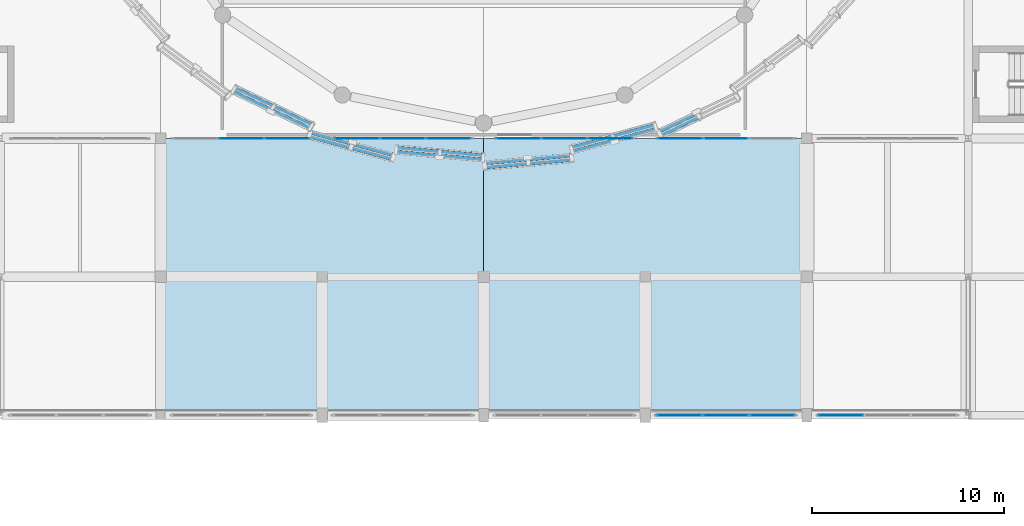
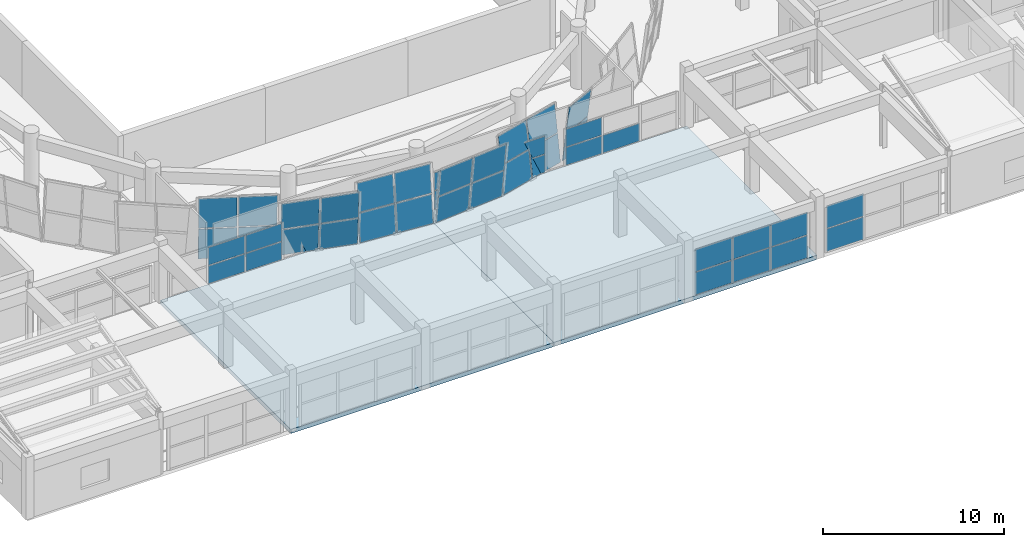
# One storey, part 49 of 74: 49 plates, 2 slabs, 12 elements without a shape of their own.
"""IFC4 building model written with IfcOpenShell, lengths in metres."""

from ifc_helpers import new_model, si_unit, direction, frame, origin, origin_2d, place, context, subcontext, project, spatial, polyline, rectangle, outline, extrude, material, layer, layer_set, type_object, element, aggregate, save


model = new_model("IFC4")

# Units and contexts
model_context = context("Model", 3, precision=1e-05, world=origin(), true_north=direction((0.0, 1.0)))
body_context = subcontext(model_context, "Body", "Model", "MODEL_VIEW")
ifc_project = project(units=[si_unit("LENGTHUNIT", "METRE"), si_unit("AREAUNIT", "SQUARE_METRE"), si_unit("VOLUMEUNIT", "CUBIC_METRE"), si_unit("PLANEANGLEUNIT", "RADIAN"), si_unit("MASSUNIT", "GRAM", prefix="KILO")], contexts=[model_context])

# Site, building, storey
site_placement = place(None, origin())
site = spatial("IfcSite", under=ifc_project, at=site_placement, CompositionType="ELEMENT")
building_placement = place(site_placement, origin())
building = spatial("IfcBuilding", under=site, at=building_placement, Name="Korsvaeld Concert Hall", CompositionType="ELEMENT")
storey_placement = place(building_placement, frame((0.0, 0.0, 9.0)))
storey = spatial("IfcBuildingStorey", under=building, at=storey_placement, Name="L02", CompositionType="ELEMENT", Elevation=9.0)

# Curtain wall, plates
ifc_material_1 = material(Name="Anodised bronze and ceramic-fritted safety glass", Category="glass")
curtain_wall_type_1 = type_object("IfcCurtainWallType", Name="CW-TYPE-13", PredefinedType="USERDEFINED", material=ifc_material_1)
curtain_wall_1_placement = place(storey_placement, origin())
curtain_wall_1 = element("IfcCurtainWall", 1, at=curtain_wall_1_placement, inside=storey, type_object=curtain_wall_type_1, Name="Wintergarden foyer curtain wall L02-13", ObjectType="CURTAIN WALL", PredefinedType="USERDEFINED")
ifc_material_2 = material(Name="Clear acoustic triple safety glazing", Category="glass")
ifc_layer_1 = layer(ifc_material_2, 0.0439453125)
ifc_layer_set_1 = layer_set([ifc_layer_1], Name="Clear acoustic triple safety glazing")
plate_type_1 = type_object("IfcPlateType", Name="CWP-CLEAR-44", PredefinedType="CURTAIN_PANEL", material=ifc_layer_set_1)
plate_1_placement = place(storey_placement, frame((102.581787109375, 28.800048828125, 0.06005859375), z_axis=(0.0, 0.0, 1.0), x_axis=(-1.0, 0.0, 0.0)))
plate_1 = element("IfcPlate", 2, at=plate_1_placement, type_object=plate_type_1, Name="CW-13 panel 3.1", PredefinedType="CURTAIN_PANEL", context=body_context, shape_type="SweptSolid", body=[
    extrude(rectangle(XDim=2.34326171875, YDim=0.0439453125, at=origin_2d()), origin(), (0.0, 0.0, 1.0), 1.5048828125),
])
plate_2_placement = place(storey_placement, frame((102.581787109375, 28.800048828125, 1.625), z_axis=(0.0, 0.0, 1.0), x_axis=(-1.0, 0.0, 0.0)))
plate_2 = element("IfcPlate", 3, at=plate_2_placement, type_object=plate_type_1, Name="CW-13 panel 3.2", PredefinedType="CURTAIN_PANEL", context=body_context, shape_type="SweptSolid", body=[
    extrude(rectangle(XDim=2.34326171875, YDim=0.0439453125, at=origin_2d()), origin(), (0.0, 0.0, 1.0), 1.5048828125),
])
aggregate(curtain_wall_1, [plate_1, plate_2])

curtain_wall_type_2 = type_object("IfcCurtainWallType", Name="CW-TYPE-14", PredefinedType="USERDEFINED", material=ifc_material_1)
curtain_wall_2_placement = place(storey_placement, origin())
curtain_wall_2 = element("IfcCurtainWall", 4, at=curtain_wall_2_placement, inside=storey, type_object=curtain_wall_type_2, Name="Wintergarden foyer curtain wall L02-14", ObjectType="CURTAIN WALL", PredefinedType="USERDEFINED")
plate_3_placement = place(storey_placement, frame((99.018310546875, 28.800048828125, 0.06005859375), z_axis=(0.0, 0.0, 1.0), x_axis=(-1.0, 0.0, 0.0)))
plate_3 = element("IfcPlate", 5, at=plate_3_placement, type_object=plate_type_1, Name="CW-14 panel 1.1", PredefinedType="CURTAIN_PANEL", context=body_context, shape_type="SweptSolid", body=[
    extrude(rectangle(XDim=2.34326171875, YDim=0.0439453125, at=origin_2d()), origin(), (0.0, 0.0, 1.0), 1.5048828125),
])
plate_4_placement = place(storey_placement, frame((99.018310546875, 28.800048828125, 1.625), z_axis=(0.0, 0.0, 1.0), x_axis=(-1.0, 0.0, 0.0)))
plate_4 = element("IfcPlate", 6, at=plate_4_placement, type_object=plate_type_1, Name="CW-14 panel 1.2", PredefinedType="CURTAIN_PANEL", context=body_context, shape_type="SweptSolid", body=[
    extrude(rectangle(XDim=2.34326171875, YDim=0.0439453125, at=origin_2d()), origin(), (0.0, 0.0, 1.0), 1.5048828125),
])
plate_5_placement = place(storey_placement, frame((96.60009765625, 28.800048828125, 0.06005859375), z_axis=(0.0, 0.0, 1.0), x_axis=(-1.0, 0.0, 0.0)))
plate_5 = element("IfcPlate", 7, at=plate_5_placement, type_object=plate_type_1, Name="CW-14 panel 2.1", PredefinedType="CURTAIN_PANEL", context=body_context, shape_type="SweptSolid", body=[
    extrude(rectangle(XDim=2.373291015625, YDim=0.0439453125, at=origin_2d()), origin(), (0.0, 0.0, 1.0), 1.5048828125),
])
plate_6_placement = place(storey_placement, frame((96.60009765625, 28.800048828125, 1.625), z_axis=(0.0, 0.0, 1.0), x_axis=(-1.0, 0.0, 0.0)))
plate_6 = element("IfcPlate", 8, at=plate_6_placement, type_object=plate_type_1, Name="CW-14 panel 2.2", PredefinedType="CURTAIN_PANEL", context=body_context, shape_type="SweptSolid", body=[
    extrude(rectangle(XDim=2.373291015625, YDim=0.0439453125, at=origin_2d()), origin(), (0.0, 0.0, 1.0), 1.5048828125),
])
plate_7_placement = place(storey_placement, frame((94.181640625, 28.800048828125, 0.06005859375), z_axis=(0.0, 0.0, 1.0), x_axis=(-1.0, 0.0, 0.0)))
plate_7 = element("IfcPlate", 9, at=plate_7_placement, type_object=plate_type_1, Name="CW-14 panel 3.1", PredefinedType="CURTAIN_PANEL", context=body_context, shape_type="SweptSolid", body=[
    extrude(rectangle(XDim=2.34326171875, YDim=0.0439453125, at=origin_2d()), origin(), (0.0, 0.0, 1.0), 1.5048828125),
])
plate_8_placement = place(storey_placement, frame((94.181640625, 28.800048828125, 1.625), z_axis=(0.0, 0.0, 1.0), x_axis=(-1.0, 0.0, 0.0)))
plate_8 = element("IfcPlate", 10, at=plate_8_placement, type_object=plate_type_1, Name="CW-14 panel 3.2", PredefinedType="CURTAIN_PANEL", context=body_context, shape_type="SweptSolid", body=[
    extrude(rectangle(XDim=2.34326171875, YDim=0.0439453125, at=origin_2d()), origin(), (0.0, 0.0, 1.0), 1.5048828125),
])
aggregate(curtain_wall_2, [plate_3, plate_4, plate_5, plate_6, plate_7, plate_8])

curtain_wall_type_3 = type_object("IfcCurtainWallType", Name="CW-TYPE-08", PredefinedType="USERDEFINED", material=ifc_material_1)
curtain_wall_3_placement = place(storey_placement, origin())
curtain_wall_3 = element("IfcCurtainWall", 11, at=curtain_wall_3_placement, inside=storey, type_object=curtain_wall_type_3, Name="Glazed foyer acoustic screen L02-32", ObjectType="CURTAIN WALL", PredefinedType="USERDEFINED")
plate_9_placement = place(storey_placement, frame((71.39990234375, 43.199951171875, 0.06005859375), z_axis=(0.0, 0.0, 1.0), x_axis=(1.0, 0.0, 0.0)))
plate_9 = element("IfcPlate", 12, at=plate_9_placement, type_object=plate_type_1, Name="CW-08 panel 2.1", PredefinedType="CURTAIN_PANEL", context=body_context, shape_type="SweptSolid", body=[
    extrude(rectangle(XDim=2.340087890625, YDim=0.0439453125, at=origin_2d()), origin(), (0.0, 0.0, 1.0), 1.18505859375),
])
plate_10_placement = place(storey_placement, frame((71.39990234375, 43.199951171875, 1.304931640625), z_axis=(0.0, 0.0, 1.0), x_axis=(1.0, 0.0, 0.0)))
plate_10 = element("IfcPlate", 13, at=plate_10_placement, type_object=plate_type_1, Name="CW-08 panel 2.2", PredefinedType="CURTAIN_PANEL", context=body_context, shape_type="SweptSolid", body=[
    extrude(rectangle(XDim=2.340087890625, YDim=0.0439453125, at=origin_2d()), origin(), (0.0, 0.0, 1.0), 1.18505859375),
])
plate_11_placement = place(storey_placement, frame((73.784912109375, 43.199951171875, 0.06005859375), z_axis=(0.0, 0.0, 1.0), x_axis=(1.0, 0.0, 0.0)))
plate_11 = element("IfcPlate", 14, at=plate_11_placement, type_object=plate_type_1, Name="CW-08 panel 3.1", PredefinedType="CURTAIN_PANEL", context=body_context, shape_type="SweptSolid", body=[
    extrude(rectangle(XDim=2.31005859375, YDim=0.0439453125, at=origin_2d()), origin(), (0.0, 0.0, 1.0), 1.18505859375),
])
plate_12_placement = place(storey_placement, frame((73.784912109375, 43.199951171875, 1.304931640625), z_axis=(0.0, 0.0, 1.0), x_axis=(1.0, 0.0, 0.0)))
plate_12 = element("IfcPlate", 15, at=plate_12_placement, type_object=plate_type_1, Name="CW-08 panel 3.2", PredefinedType="CURTAIN_PANEL", context=body_context, shape_type="SweptSolid", body=[
    extrude(rectangle(XDim=2.31005859375, YDim=0.0439453125, at=origin_2d()), origin(), (0.0, 0.0, 1.0), 1.18505859375),
])
aggregate(curtain_wall_3, [plate_9, plate_10, plate_11, plate_12])

curtain_wall_type_4 = type_object("IfcCurtainWallType", Name="CW-TYPE-09", PredefinedType="USERDEFINED", material=ifc_material_1)
curtain_wall_4_placement = place(storey_placement, origin())
curtain_wall_4 = element("IfcCurtainWall", 16, at=curtain_wall_4_placement, inside=storey, type_object=curtain_wall_type_4, Name="Glazed foyer acoustic screen L02-33", ObjectType="CURTAIN WALL", PredefinedType="USERDEFINED")
plate_13_placement = place(storey_placement, frame((77.4150390625, 43.199951171875, 0.06005859375), z_axis=(0.0, 0.0, 1.0), x_axis=(1.0, 0.0, 0.0)))
plate_13 = element("IfcPlate", 17, at=plate_13_placement, type_object=plate_type_1, Name="CW-09 panel 1.1", PredefinedType="CURTAIN_PANEL", context=body_context, shape_type="SweptSolid", body=[
    extrude(rectangle(XDim=2.31005859375, YDim=0.0439453125, at=origin_2d()), origin(), (0.0, 0.0, 1.0), 1.18505859375),
])
plate_14_placement = place(storey_placement, frame((77.4150390625, 43.199951171875, 1.304931640625), z_axis=(0.0, 0.0, 1.0), x_axis=(1.0, 0.0, 0.0)))
plate_14 = element("IfcPlate", 18, at=plate_14_placement, type_object=plate_type_1, Name="CW-09 panel 1.2", PredefinedType="CURTAIN_PANEL", context=body_context, shape_type="SweptSolid", body=[
    extrude(rectangle(XDim=2.31005859375, YDim=0.0439453125, at=origin_2d()), origin(), (0.0, 0.0, 1.0), 1.18505859375),
])
plate_15_placement = place(storey_placement, frame((79.800048828125, 43.199951171875, 0.06005859375), z_axis=(0.0, 0.0, 1.0), x_axis=(1.0, 0.0, 0.0)))
plate_15 = element("IfcPlate", 19, at=plate_15_placement, type_object=plate_type_1, Name="CW-09 panel 2.1", PredefinedType="CURTAIN_PANEL", context=body_context, shape_type="SweptSolid", body=[
    extrude(rectangle(XDim=2.340087890625, YDim=0.0439453125, at=origin_2d()), origin(), (0.0, 0.0, 1.0), 1.18505859375),
])
plate_16_placement = place(storey_placement, frame((79.800048828125, 43.199951171875, 1.304931640625), z_axis=(0.0, 0.0, 1.0), x_axis=(1.0, 0.0, 0.0)))
plate_16 = element("IfcPlate", 20, at=plate_16_placement, type_object=plate_type_1, Name="CW-09 panel 2.2", PredefinedType="CURTAIN_PANEL", context=body_context, shape_type="SweptSolid", body=[
    extrude(rectangle(XDim=2.340087890625, YDim=0.0439453125, at=origin_2d()), origin(), (0.0, 0.0, 1.0), 1.18505859375),
])
plate_17_placement = place(storey_placement, frame((82.18505859375, 43.199951171875, 0.06005859375), z_axis=(0.0, 0.0, 1.0), x_axis=(1.0, 0.0, 0.0)))
plate_17 = element("IfcPlate", 21, at=plate_17_placement, type_object=plate_type_1, Name="CW-09 panel 3.1", PredefinedType="CURTAIN_PANEL", context=body_context, shape_type="SweptSolid", body=[
    extrude(rectangle(XDim=2.31005859375, YDim=0.0439453125, at=origin_2d()), origin(), (0.0, 0.0, 1.0), 1.18505859375),
])
plate_18_placement = place(storey_placement, frame((82.18505859375, 43.199951171875, 1.304931640625), z_axis=(0.0, 0.0, 1.0), x_axis=(1.0, 0.0, 0.0)))
plate_18 = element("IfcPlate", 22, at=plate_18_placement, type_object=plate_type_1, Name="CW-09 panel 3.2", PredefinedType="CURTAIN_PANEL", context=body_context, shape_type="SweptSolid", body=[
    extrude(rectangle(XDim=2.31005859375, YDim=0.0439453125, at=origin_2d()), origin(), (0.0, 0.0, 1.0), 1.18505859375),
])
aggregate(curtain_wall_4, [plate_13, plate_14, plate_15, plate_16, plate_17, plate_18])

curtain_wall_type_5 = type_object("IfcCurtainWallType", Name="CW-TYPE-10", PredefinedType="USERDEFINED", material=ifc_material_1)
curtain_wall_5_placement = place(storey_placement, origin())
curtain_wall_5 = element("IfcCurtainWall", 23, at=curtain_wall_5_placement, inside=storey, type_object=curtain_wall_type_5, Name="Glazed foyer acoustic screen L02-34", ObjectType="CURTAIN WALL", PredefinedType="USERDEFINED")
plate_19_placement = place(storey_placement, frame((85.81494140625, 43.199951171875, 0.06005859375), z_axis=(0.0, 0.0, 1.0), x_axis=(1.0, 0.0, 0.0)))
plate_19 = element("IfcPlate", 24, at=plate_19_placement, type_object=plate_type_1, Name="CW-10 panel 1.1", PredefinedType="CURTAIN_PANEL", context=body_context, shape_type="SweptSolid", body=[
    extrude(rectangle(XDim=2.31005859375, YDim=0.0439453125, at=origin_2d()), origin(), (0.0, 0.0, 1.0), 1.18505859375),
])
plate_20_placement = place(storey_placement, frame((85.81494140625, 43.199951171875, 1.304931640625), z_axis=(0.0, 0.0, 1.0), x_axis=(1.0, 0.0, 0.0)))
plate_20 = element("IfcPlate", 25, at=plate_20_placement, type_object=plate_type_1, Name="CW-10 panel 1.2", PredefinedType="CURTAIN_PANEL", context=body_context, shape_type="SweptSolid", body=[
    extrude(rectangle(XDim=2.31005859375, YDim=0.0439453125, at=origin_2d()), origin(), (0.0, 0.0, 1.0), 1.18505859375),
])
plate_21_placement = place(storey_placement, frame((88.199951171875, 43.199951171875, 0.06005859375), z_axis=(0.0, 0.0, 1.0), x_axis=(1.0, 0.0, 0.0)))
plate_21 = element("IfcPlate", 26, at=plate_21_placement, type_object=plate_type_1, Name="CW-10 panel 2.1", PredefinedType="CURTAIN_PANEL", context=body_context, shape_type="SweptSolid", body=[
    extrude(rectangle(XDim=2.340087890625, YDim=0.0439453125, at=origin_2d()), origin(), (0.0, 0.0, 1.0), 1.18505859375),
])
plate_22_placement = place(storey_placement, frame((88.199951171875, 43.199951171875, 1.304931640625), z_axis=(0.0, 0.0, 1.0), x_axis=(1.0, 0.0, 0.0)))
plate_22 = element("IfcPlate", 27, at=plate_22_placement, type_object=plate_type_1, Name="CW-10 panel 2.2", PredefinedType="CURTAIN_PANEL", context=body_context, shape_type="SweptSolid", body=[
    extrude(rectangle(XDim=2.340087890625, YDim=0.0439453125, at=origin_2d()), origin(), (0.0, 0.0, 1.0), 1.18505859375),
])
plate_23_placement = place(storey_placement, frame((90.5849609375, 43.199951171875, 0.06005859375), z_axis=(0.0, 0.0, 1.0), x_axis=(1.0, 0.0, 0.0)))
plate_23 = element("IfcPlate", 28, at=plate_23_placement, type_object=plate_type_1, Name="CW-10 panel 3.1", PredefinedType="CURTAIN_PANEL", context=body_context, shape_type="SweptSolid", body=[
    extrude(rectangle(XDim=2.31005859375, YDim=0.0439453125, at=origin_2d()), origin(), (0.0, 0.0, 1.0), 1.18505859375),
])
plate_24_placement = place(storey_placement, frame((90.5849609375, 43.199951171875, 1.304931640625), z_axis=(0.0, 0.0, 1.0), x_axis=(1.0, 0.0, 0.0)))
plate_24 = element("IfcPlate", 29, at=plate_24_placement, type_object=plate_type_1, Name="CW-10 panel 3.2", PredefinedType="CURTAIN_PANEL", context=body_context, shape_type="SweptSolid", body=[
    extrude(rectangle(XDim=2.31005859375, YDim=0.0439453125, at=origin_2d()), origin(), (0.0, 0.0, 1.0), 1.18505859375),
])
aggregate(curtain_wall_5, [plate_19, plate_20, plate_21, plate_22, plate_23, plate_24])

curtain_wall_type_6 = type_object("IfcCurtainWallType", Name="CW-TYPE-11", PredefinedType="USERDEFINED", material=ifc_material_1)
curtain_wall_6_placement = place(storey_placement, origin())
curtain_wall_6 = element("IfcCurtainWall", 30, at=curtain_wall_6_placement, inside=storey, type_object=curtain_wall_type_6, Name="Glazed foyer acoustic screen L02-35", ObjectType="CURTAIN WALL", PredefinedType="USERDEFINED")
plate_25_placement = place(storey_placement, frame((94.215087890625, 43.199951171875, 0.06005859375), z_axis=(0.0, 0.0, 1.0), x_axis=(1.0, 0.0, 0.0)))
plate_25 = element("IfcPlate", 31, at=plate_25_placement, type_object=plate_type_1, Name="CW-11 panel 1.1", PredefinedType="CURTAIN_PANEL", context=body_context, shape_type="SweptSolid", body=[
    extrude(rectangle(XDim=2.31005859375, YDim=0.0439453125, at=origin_2d()), origin(), (0.0, 0.0, 1.0), 1.18505859375),
])
plate_26_placement = place(storey_placement, frame((94.215087890625, 43.199951171875, 1.304931640625), z_axis=(0.0, 0.0, 1.0), x_axis=(1.0, 0.0, 0.0)))
plate_26 = element("IfcPlate", 32, at=plate_26_placement, type_object=plate_type_1, Name="CW-11 panel 1.2", PredefinedType="CURTAIN_PANEL", context=body_context, shape_type="SweptSolid", body=[
    extrude(rectangle(XDim=2.31005859375, YDim=0.0439453125, at=origin_2d()), origin(), (0.0, 0.0, 1.0), 1.18505859375),
])
plate_27_placement = place(storey_placement, frame((96.60009765625, 43.199951171875, 0.06005859375), z_axis=(0.0, 0.0, 1.0), x_axis=(1.0, 0.0, 0.0)))
plate_27 = element("IfcPlate", 33, at=plate_27_placement, type_object=plate_type_1, Name="CW-11 panel 2.1", PredefinedType="CURTAIN_PANEL", context=body_context, shape_type="SweptSolid", body=[
    extrude(rectangle(XDim=2.340087890625, YDim=0.0439453125, at=origin_2d()), origin(), (0.0, 0.0, 1.0), 1.18505859375),
])
aggregate(curtain_wall_6, [plate_25, plate_26, plate_27])

curtain_wall_type_7 = type_object("IfcCurtainWallType", Name="CW-TYPE-06", PredefinedType="USERDEFINED", material=ifc_material_1)
curtain_wall_7_placement = place(storey_placement, origin())
curtain_wall_7 = element("IfcCurtainWall", 34, at=curtain_wall_7_placement, inside=storey, type_object=curtain_wall_type_7, Name="Crystal curtain-wall facet L02 F22", ObjectType="CURTAIN WALL", PredefinedType="USERDEFINED")
ifc_material_3 = material(Name="Translucent ceramic-fritted crystal safety glass", Category="glass")
ifc_layer_2 = layer(ifc_material_3, 0.035888671875)
ifc_layer_set_2 = layer_set([ifc_layer_2], Name="Translucent ceramic-fritted crystal safety glass")
plate_type_2 = type_object("IfcPlateType", Name="CWP-CRYSTAL-36", PredefinedType="CURTAIN_PANEL", material=ifc_layer_set_2)
plate_28_placement = place(storey_placement, frame((70.959716796875, 45.546142578125, 0.06005859375), z_axis=(-0.430021805467, -0.895747152758, 0.112775374747), x_axis=(0.901498117994, -0.432783020976, -2.75305e-06)))
plate_28 = element("IfcPlate", 35, at=plate_28_placement, type_object=plate_type_2, Name="CW-CRYS-L02-F22 ceramic-fritted crystal panel 1.1", PredefinedType="CURTAIN_PANEL", context=body_context, shape_type="SweptSolid", body=[
    extrude(outline(polyline([(0.0, 0.0), (2.150308577352403, -1.3877787807814457e-17), (2.169184628800818, 1.8617364192238395), (0.018655959134450888, 1.8617245027850182), (0.0, 0.0)])), frame((0.0, 0.0, 0.01806640625)), (0.0, 0.0, -1.0), 0.035888671875),
])
plate_29_placement = place(storey_placement, frame((71.07080078125, 45.733154296875, 1.969970703125), z_axis=(-0.429999158214, -0.895756378641, 0.112788448256), x_axis=(0.901508884705, -0.432760592935, 0.0)))
plate_29 = element("IfcPlate", 36, at=plate_29_placement, type_object=plate_type_2, Name="CW-CRYS-L02-F22 ceramic-fritted crystal panel 1.2", PredefinedType="CURTAIN_PANEL", context=body_context, shape_type="SweptSolid", body=[
    extrude(outline(polyline([(0.0, 0.0), (2.1505286703400395, 0.0), (2.169415039256542, 1.8619788978930212), (0.018886368916502288, 1.8619788978930212), (0.0, 0.0)])), frame((0.0, 0.0, 0.01806640625)), (0.0, 0.0, -1.0), 0.035888671875),
])
plate_30_placement = place(storey_placement, frame((72.9658203125, 44.5830078125, 0.06005859375), z_axis=(-0.430090054787, -0.895710759262, 0.112804168878), x_axis=(0.901464591462, -0.432852850679, 0.0)))
plate_30 = element("IfcPlate", 37, at=plate_30_placement, type_object=plate_type_2, Name="CW-CRYS-L02-F22 ceramic-fritted crystal panel 2.1", PredefinedType="CURTAIN_PANEL", context=body_context, shape_type="SweptSolid", body=[
    extrude(outline(polyline([(0.0, 0.0), (2.150634336043882, 0.0), (2.1694992125629495, 1.8617365332323772), (0.018864876519067143, 1.8617365332323772), (0.0, 0.0)])), frame((0.0, 0.0, 0.01806640625)), (0.0, 0.0, -1.0), 0.035888671875),
])
plate_31_placement = place(storey_placement, frame((73.0771484375, 44.77001953125, 1.969970703125), z_axis=(-0.430114148991, -0.895704537127, 0.112761700096), x_axis=(0.901454091207, -0.432874717948, 2.75289e-06)))
plate_31 = element("IfcPlate", 38, at=plate_31_placement, type_object=plate_type_2, Name="CW-CRYS-L02-F22 ceramic-fritted crystal panel 2.2", PredefinedType="CURTAIN_PANEL", context=body_context, shape_type="SweptSolid", body=[
    extrude(outline(polyline([(0.0, 0.0), (2.150634335402981, -1.3877787807814457e-17), (2.169279129080632, 1.8619671987283917), (0.01886487524288685, 1.8619791150426859), (0.0, 0.0)])), frame((0.0, 0.0, 0.01806640625)), (0.0, 0.0, -1.0), 0.035888671875),
])
aggregate(curtain_wall_7, [plate_28, plate_29, plate_30, plate_31])

curtain_wall_type_8 = type_object("IfcCurtainWallType", Name="CW-TYPE-07", PredefinedType="USERDEFINED", material=ifc_material_1)
curtain_wall_8_placement = place(storey_placement, origin())
curtain_wall_8 = element("IfcCurtainWall", 39, at=curtain_wall_8_placement, inside=storey, type_object=curtain_wall_type_8, Name="Crystal curtain-wall facet L02 F23", ObjectType="CURTAIN WALL", PredefinedType="USERDEFINED")
plate_32_placement = place(storey_placement, frame((75.038818359375, 43.587646484375, 0.06005859375), z_axis=(-0.261266730568, -0.958626546521, -0.113025836882), x_axis=(0.964809044525, -0.262951530895, -1.652025e-06)))
plate_32 = element("IfcPlate", 40, at=plate_32_placement, type_object=plate_type_2, Name="CW-CRYS-L02-F23 ceramic-fritted crystal panel 1.1", PredefinedType="CURTAIN_PANEL", context=body_context, shape_type="SweptSolid", body=[
    extrude(outline(polyline([(0.0, 0.0), (2.1820030489605324, 0.0), (2.1692661665257673, 1.8617873410243495), (-0.012501333351628674, 1.8617800854742605), (0.0, 0.0)])), frame((0.0, 0.0, 0.01806640625)), (0.0, 0.0, -1.0), 0.035888671875),
])
plate_33_placement = place(storey_placement, frame((74.96923828125, 43.38134765625, 1.969970703125), z_axis=(-0.261178302111, -0.958654457556, -0.112993475543), x_axis=(0.964833511963, -0.262861739689, 0.0)))
plate_33 = element("IfcPlate", 41, at=plate_33_placement, type_object=plate_type_2, Name="CW-CRYS-L02-F23 ceramic-fritted crystal panel 1.2", PredefinedType="CURTAIN_PANEL", context=body_context, shape_type="SweptSolid", body=[
    extrude(outline(polyline([(0.0, 0.0), (2.181703312177269, -1.3877787807814457e-17), (2.1691854542095044, 1.8620225515940299), (-0.012517857967764409, 1.8620225515940299), (0.0, 0.0)])), frame((0.0, 0.0, 0.01806640625)), (0.0, 0.0, -1.0), 0.035888671875),
])
plate_34_placement = place(storey_placement, frame((77.21630859375, 42.994140625, 0.06005859375), z_axis=(-0.261231469252, -0.958645553476, -0.112946103402), x_axis=(0.964819501422, -0.26291315988, -6.058201e-06)))
plate_34 = element("IfcPlate", 42, at=plate_34_placement, type_object=plate_type_2, Name="CW-CRYS-L02-F23 ceramic-fritted crystal panel 2.1", PredefinedType="CURTAIN_PANEL", context=body_context, shape_type="SweptSolid", body=[
    extrude(outline(polyline([(0.0, 0.0), (2.1817033090388525, -6.938893903907228e-18), (2.169185457329913, 1.8617799710802774), (-0.012582039492112826, 1.8617533660544558), (0.0, 0.0)])), frame((0.0, 0.0, 0.01806640625)), (0.0, 0.0, -1.0), 0.035888671875),
])
plate_35_placement = place(storey_placement, frame((77.146728515625, 42.7880859375, 1.969970703125), z_axis=(-0.26128178054, -0.958626175241, -0.112994191446), x_axis=(0.964805126409, -0.262965906641, 0.0)))
plate_35 = element("IfcPlate", 43, at=plate_35_placement, type_object=plate_type_2, Name="CW-CRYS-L02-F23 ceramic-fritted crystal panel 2.2", PredefinedType="CURTAIN_PANEL", context=body_context, shape_type="SweptSolid", body=[
    extrude(outline(polyline([(0.0, 0.0), (2.1817675001225645, 1.3877787807814457e-17), (2.1692723577260082, 1.862022704165911), (-0.01249514239655624, 1.862022704165911), (0.0, 0.0)])), frame((0.0, 0.0, 0.01806640625)), (0.0, 0.0, -1.0), 0.035888671875),
])
aggregate(curtain_wall_8, [plate_32, plate_33, plate_34, plate_35])

curtain_wall_9_placement = place(storey_placement, origin())
curtain_wall_9 = element("IfcCurtainWall", 44, at=curtain_wall_9_placement, inside=storey, type_object=curtain_wall_type_3, Name="Crystal curtain-wall facet L02 F24", ObjectType="CURTAIN WALL", PredefinedType="USERDEFINED")
plate_36_placement = place(storey_placement, frame((79.471435546875, 42.407470703125, 0.06005859375), z_axis=(-0.087550800333, -0.989704699412, 0.113223077693), x_axis=(0.996110155918, -0.088116725071, 6.221966e-06)))
plate_36 = element("IfcPlate", 45, at=plate_36_placement, type_object=plate_type_2, Name="CW-CRYS-L02-F24 ceramic-fritted crystal panel 1.1", PredefinedType="CURTAIN_PANEL", context=body_context, shape_type="SweptSolid", body=[
    extrude(outline(polyline([(0.0, 0.0), (2.198482583391251, 0.0), (2.202895998522954, 1.8618120197266952), (0.004391902259370668, 1.8618395546881972), (0.0, 0.0)])), frame((0.0, 0.0, 0.01806640625)), (0.0, 0.0, -1.0), 0.035888671875),
])
plate_37_placement = place(storey_placement, frame((79.4951171875, 42.6240234375, 1.969970703125), z_axis=(-0.087606333413, -0.989708829619, 0.113143991971), x_axis=(0.996105218313, -0.088172524341, 0.0)))
plate_37 = element("IfcPlate", 46, at=plate_37_placement, type_object=plate_type_2, Name="CW-CRYS-L02-F24 ceramic-fritted crystal panel 1.2", PredefinedType="CURTAIN_PANEL", context=body_context, shape_type="SweptSolid", body=[
    extrude(outline(polyline([(0.0, 0.0), (2.198504099755524, 6.938893903907228e-18), (2.202894203426589, 1.862054651456065), (0.004390103671065578, 1.8620546514560647), (0.0, 0.0)])), frame((0.0, 0.0, 0.01806640625)), (0.0, 0.0, -1.0), 0.035888671875),
])
plate_38_placement = place(storey_placement, frame((81.736083984375, 42.207275390625, 0.06005859375), z_axis=(-0.087606185391, -0.989707157371, 0.113158733331), x_axis=(0.996105218313, -0.088172524341, 0.0)))
plate_38 = element("IfcPlate", 47, at=plate_38_placement, type_object=plate_type_2, Name="CW-CRYS-L02-F24 ceramic-fritted crystal panel 2.1", PredefinedType="CURTAIN_PANEL", context=body_context, shape_type="SweptSolid", body=[
    extrude(outline(polyline([(0.0, 0.0), (2.198504099755524, 3.469446951953614e-18), (2.202894203426589, 1.8618120787602588), (0.0043901036710655775, 1.8618120787602588), (0.0, 0.0)])), frame((0.0, 0.0, 0.01806640625)), (0.0, 0.0, -1.0), 0.035888671875),
])
plate_39_placement = place(storey_placement, frame((81.759765625, 42.423583984375, 1.969970703125), z_axis=(-0.087606333413, -0.989708829619, 0.113143991971), x_axis=(0.996105218313, -0.088172524341, 0.0)))
plate_39 = element("IfcPlate", 48, at=plate_39_placement, type_object=plate_type_2, Name="CW-CRYS-L02-F24 ceramic-fritted crystal panel 2.2", PredefinedType="CURTAIN_PANEL", context=body_context, shape_type="SweptSolid", body=[
    extrude(outline(polyline([(0.0, 0.0), (2.198504099755524, 6.938893903907228e-18), (2.202894203426589, 1.862054651456065), (0.004390103671065578, 1.8620546514560647), (0.0, 0.0)])), frame((0.0, 0.0, 0.01806640625)), (0.0, 0.0, -1.0), 0.035888671875),
])
aggregate(curtain_wall_9, [plate_36, plate_37, plate_38, plate_39])

curtain_wall_type_9 = type_object("IfcCurtainWallType", Name="CW-TYPE-01", PredefinedType="USERDEFINED", material=ifc_material_1)
curtain_wall_10_placement = place(storey_placement, origin())
curtain_wall_10 = element("IfcCurtainWall", 49, at=curtain_wall_10_placement, inside=storey, type_object=curtain_wall_type_9, Name="Crystal curtain-wall facet L02 F25", ObjectType="CURTAIN WALL", PredefinedType="USERDEFINED")
plate_40_placement = place(storey_placement, frame((84.075439453125, 41.999755859375, 0.06005859375), z_axis=(0.087606185391, -0.989707157371, -0.113158733331), x_axis=(0.996105218313, 0.088172524341, 0.0)))
plate_40 = element("IfcPlate", 50, at=plate_40_placement, type_object=plate_type_2, Name="CW-CRYS-L02-F25 ceramic-fritted crystal panel 1.1", PredefinedType="CURTAIN_PANEL", context=body_context, shape_type="SweptSolid", body=[
    extrude(outline(polyline([(0.0, 0.0), (2.198504099755524, 3.469446951953614e-18), (2.202894203426589, 1.8618120787602588), (0.0043901036710655775, 1.8618120787602588), (0.0, 0.0)])), frame((0.0, 0.0, 0.01806640625)), (0.0, 0.0, -1.0), 0.035888671875),
])
plate_41_placement = place(storey_placement, frame((84.09912109375, 41.783447265625, 1.969970703125), z_axis=(0.087606333413, -0.989708829619, -0.113143991971), x_axis=(0.996105218313, 0.088172524341, 0.0)))
plate_41 = element("IfcPlate", 51, at=plate_41_placement, type_object=plate_type_2, Name="CW-CRYS-L02-F25 ceramic-fritted crystal panel 1.2", PredefinedType="CURTAIN_PANEL", context=body_context, shape_type="SweptSolid", body=[
    extrude(outline(polyline([(0.0, 0.0), (2.198504099755524, 6.938893903907228e-18), (2.202894203426589, 1.862054651456065), (0.004390103671065578, 1.8620546514560647), (0.0, 0.0)])), frame((0.0, 0.0, 0.01806640625)), (0.0, 0.0, -1.0), 0.035888671875),
])
plate_42_placement = place(storey_placement, frame((86.340087890625, 42.2001953125, 0.06005859375), z_axis=(0.087601283143, -0.989706940099, -0.113164428648), x_axis=(0.996105644418, 0.088167710411, -5.50431e-07)))
plate_42 = element("IfcPlate", 52, at=plate_42_placement, type_object=plate_type_2, Name="CW-CRYS-L02-F25 ceramic-fritted crystal panel 2.1", PredefinedType="CURTAIN_PANEL", context=body_context, shape_type="SweptSolid", body=[
    extrude(outline(polyline([(0.0, 0.0), (2.1985040997295173, 0.0), (2.2031373932032157, 1.8618145147632015), (0.004390103619104287, 1.8618120787296712), (0.0, 0.0)])), frame((0.0, 0.0, 0.01806640625)), (0.0, 0.0, -1.0), 0.035888671875),
])
plate_43_placement = place(storey_placement, frame((86.36376953125, 41.98388671875, 1.969970703125), z_axis=(0.087596644047, -0.989709689854, -0.113143969179), x_axis=(0.996106081505, 0.088162772123, 0.0)))
plate_43 = element("IfcPlate", 53, at=plate_43_placement, type_object=plate_type_2, Name="CW-CRYS-L02-F25 ceramic-fritted crystal panel 2.2", PredefinedType="CURTAIN_PANEL", context=body_context, shape_type="SweptSolid", body=[
    extrude(outline(polyline([(0.0, 0.0), (2.198747289611464, 0.0), (2.2031394559151716, 1.8620546465919228), (0.004392166303706893, 1.8620546465919228), (0.0, 0.0)])), frame((0.0, 0.0, 0.01806640625)), (0.0, 0.0, -1.0), 0.035888671875),
])
aggregate(curtain_wall_10, [plate_40, plate_41, plate_42, plate_43])

curtain_wall_type_10 = type_object("IfcCurtainWallType", Name="CW-TYPE-02", PredefinedType="USERDEFINED", material=ifc_material_1)
curtain_wall_11_placement = place(storey_placement, origin())
curtain_wall_11 = element("IfcCurtainWall", 54, at=curtain_wall_11_placement, inside=storey, type_object=curtain_wall_type_10, Name="Crystal curtain-wall facet L02 F26", ObjectType="CURTAIN WALL", PredefinedType="USERDEFINED")
plate_44_placement = place(storey_placement, frame((88.67431640625, 42.43359375, 0.06005859375), z_axis=(0.261281340237, -0.958624559797, 0.113008913794), x_axis=(0.964805126409, 0.262965906641, 0.0)))
plate_44 = element("IfcPlate", 55, at=plate_44_placement, type_object=plate_type_2, Name="CW-CRYS-L02-F26 ceramic-fritted crystal panel 1.1", PredefinedType="CURTAIN_PANEL", context=body_context, shape_type="SweptSolid", body=[
    extrude(outline(polyline([(0.0, 0.0), (2.1817675001225645, 0.0), (2.1692723577260082, 1.861780127307669), (-0.01249514239655624, 1.861780127307669), (0.0, 0.0)])), frame((0.0, 0.0, 0.01806640625)), (0.0, 0.0, -1.0), 0.035888671875),
])
plate_45_placement = place(storey_placement, frame((88.604736328125, 42.6396484375, 1.969970703125), z_axis=(0.261213567784, -0.958635449337, 0.113073194349), x_axis=(0.964822956688, 0.262900479629, 7.717335e-06)))
plate_45 = element("IfcPlate", 56, at=plate_45_placement, type_object=plate_type_2, Name="CW-CRYS-L02-F26 ceramic-fritted crystal panel 1.2", PredefinedType="CURTAIN_PANEL", context=body_context, shape_type="SweptSolid", body=[
    extrude(outline(polyline([(0.0, 0.0), (2.1817674950410426, 0.0), (2.169272362778428, 1.8620226982797987), (-0.012666500054865122, 1.8620565918327672), (0.0, 0.0)])), frame((0.0, 0.0, 0.01806640625)), (0.0, 0.0, -1.0), 0.035888671875),
])
plate_46_placement = place(storey_placement, frame((90.851806640625, 43.02685546875, 0.06005859375), z_axis=(0.261266730568, -0.958626546521, 0.113025836882), x_axis=(0.964808945689, 0.262951893539, 1.652203e-06)))
plate_46 = element("IfcPlate", 57, at=plate_46_placement, type_object=plate_type_2, Name="CW-CRYS-L02-F26 ceramic-fritted crystal panel 2.1", PredefinedType="CURTAIN_PANEL", context=body_context, shape_type="SweptSolid", body=[
    extrude(outline(polyline([(0.0, 0.0), (2.1817674998894603, 1.3877787807814457e-17), (2.169272357957777, 1.8617801270376209), (-0.012730690990689176, 1.861787383371037), (0.0, 0.0)])), frame((0.0, 0.0, 0.01806640625)), (0.0, 0.0, -1.0), 0.035888671875),
])
plate_47_placement = place(storey_placement, frame((90.781982421875, 43.233154296875, 1.969970703125), z_axis=(0.261163697715, -0.958656442547, 0.113010389604), x_axis=(0.964837427078, 0.262847368842, -1.651196e-06)))
plate_47 = element("IfcPlate", 58, at=plate_47_placement, type_object=plate_type_2, Name="CW-CRYS-L02-F26 ceramic-fritted crystal panel 2.2", PredefinedType="CURTAIN_PANEL", context=body_context, shape_type="SweptSolid", body=[
    extrude(outline(polyline([(0.0, 0.0), (2.1819388679447598, 0.0), (2.169179265319705, 1.8620297613910195), (-0.012524046612584458, 1.8620225097062955), (0.0, 0.0)])), frame((0.0, 0.0, 0.01806640625)), (0.0, 0.0, -1.0), 0.035888671875),
])
aggregate(curtain_wall_11, [plate_44, plate_45, plate_46, plate_47])

curtain_wall_type_11 = type_object("IfcCurtainWallType", Name="CW-TYPE-03", PredefinedType="USERDEFINED", material=ifc_material_1)
curtain_wall_12_placement = place(storey_placement, origin())
curtain_wall_12 = element("IfcCurtainWall", 59, at=curtain_wall_12_placement, inside=storey, type_object=curtain_wall_type_11, Name="Crystal curtain-wall facet L02 F27", ObjectType="CURTAIN WALL", PredefinedType="USERDEFINED")
plate_48_placement = place(storey_placement, frame((93.102294921875, 43.640380859375, 0.06005859375), z_axis=(0.430090054787, -0.895710759262, -0.112804168878), x_axis=(0.901464591462, 0.432852850679, 0.0)))
plate_48 = element("IfcPlate", 60, at=plate_48_placement, type_object=plate_type_2, Name="CW-CRYS-L02-F27 ceramic-fritted crystal panel 1.1", PredefinedType="CURTAIN_PANEL", context=body_context, shape_type="SweptSolid", body=[
    extrude(outline(polyline([(0.0, 0.0), (2.150634336043882, 0.0), (2.1694992125629495, 1.8617365332323772), (0.018864876519067143, 1.8617365332323772), (0.0, 0.0)])), frame((0.0, 0.0, 0.01806640625)), (0.0, 0.0, -1.0), 0.035888671875),
])
plate_49_placement = place(storey_placement, frame((93.213623046875, 43.453369140625, 1.969970703125), z_axis=(0.430090776937, -0.89571226322, -0.112789472515), x_axis=(0.901464591462, 0.432852850679, 0.0)))
plate_49 = element("IfcPlate", 61, at=plate_49_placement, type_object=plate_type_2, Name="CW-CRYS-L02-F27 ceramic-fritted crystal panel 1.2", PredefinedType="CURTAIN_PANEL", context=body_context, shape_type="SweptSolid", body=[
    extrude(outline(polyline([(0.0, 0.0), (2.150634336043882, 0.0), (2.1694992125629495, 1.8619791157700134), (0.01886487651906714, 1.8619791157700134), (0.0, 0.0)])), frame((0.0, 0.0, 0.01806640625)), (0.0, 0.0, -1.0), 0.035888671875),
])
aggregate(curtain_wall_12, [plate_48, plate_49])

# Slabs
ifc_material_4 = material(Name="Concrete C35/45", Category="concrete")
ifc_layer_3 = layer(ifc_material_4, 0.280029296875)
ifc_layer_set_3 = layer_set([ifc_layer_3], Name="Concrete C35/45")
slab_type = type_object("IfcSlabType", Name="SLB-FOY-280", PredefinedType="FLOOR", material=ifc_layer_set_3)
slab_1_placement = place(storey_placement, frame((0.0, 0.0, -0.280029296875)))
element("IfcSlab", 62, at=slab_1_placement, inside=storey, type_object=slab_type, Name="Structural slab L02 V4_BELV_L02 2.1", PredefinedType="FLOOR", context=body_context, shape_type="SweptSolid", body=[
    extrude(outline(polyline([(67.199951171875, 28.800048828125), (67.199951171875, 43.199951171875), (84.0, 43.199951171875), (84.0, 28.800048828125), (67.199951171875, 28.800048828125)])), origin(), (0.0, 0.0, 1.0), 0.280029296875),
])
slab_2_placement = place(storey_placement, frame((0.0, 0.0, -0.280029296875)))
element("IfcSlab", 63, at=slab_2_placement, inside=storey, type_object=slab_type, Name="Structural slab L02 V4_BELV_L02 3.1", PredefinedType="FLOOR", context=body_context, shape_type="SweptSolid", body=[
    extrude(outline(polyline([(84.0, 28.800048828125), (84.0, 43.199951171875), (100.800048828125, 43.199951171875), (100.800048828125, 28.800048828125), (84.0, 28.800048828125)])), origin(), (0.0, 0.0, 1.0), 0.280029296875),
])

save(model, "model.ifc")
